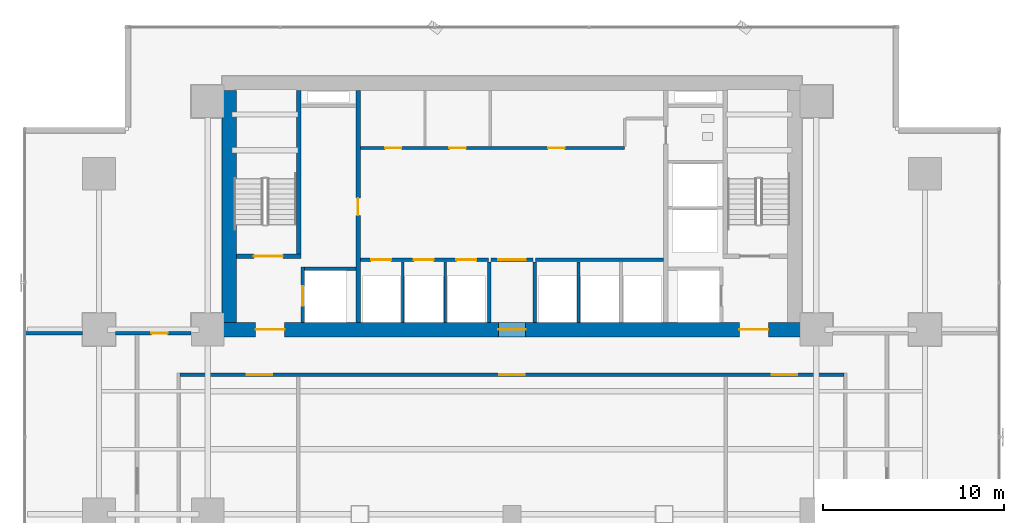
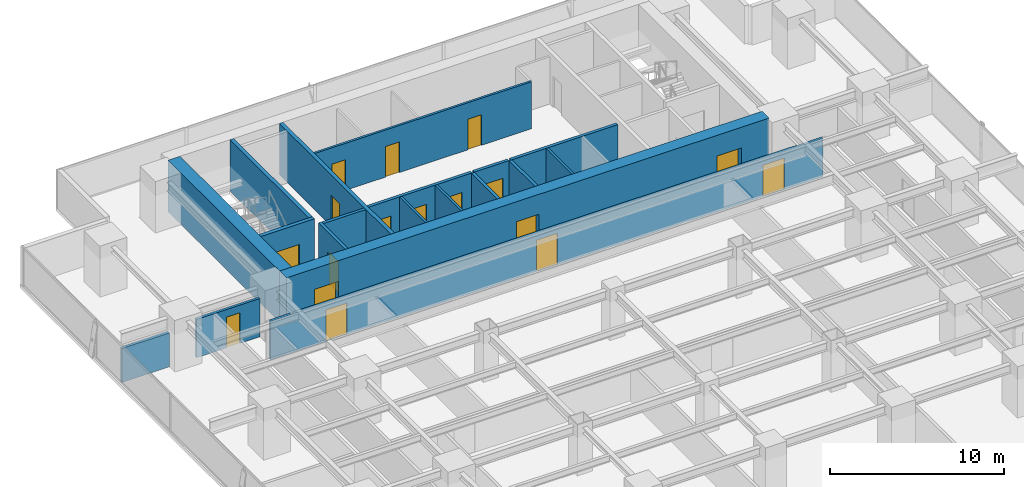
# One storey, part 25 of 33: 19 walls, 17 doors, 17 openings.
"""IFC4 building model written with IfcOpenShell, lengths in metres."""

from ifc_helpers import new_model, si_unit, direction, frame, frame_2d, origin, place, context, subcontext, project, spatial, rectangle, extrude, source, transform, mapped, material, layer, layer_set, type_object, element, fill, save


model = new_model("IFC4")

# Units and contexts
model_context = context("Model", 3, precision=1e-05, world=origin(), true_north=direction((0.0, 1.0)))
body_context = subcontext(model_context, "Body", "Model", "MODEL_VIEW")
ifc_project = project(units=[si_unit("LENGTHUNIT", "METRE"), si_unit("AREAUNIT", "SQUARE_METRE"), si_unit("VOLUMEUNIT", "CUBIC_METRE"), si_unit("PLANEANGLEUNIT", "RADIAN"), si_unit("MASSUNIT", "GRAM", prefix="KILO")], contexts=[model_context])

# Site, building, storey
site_placement = place(None, origin())
site = spatial("IfcSite", under=ifc_project, at=site_placement, CompositionType="ELEMENT")
building_placement = place(site_placement, origin())
building = spatial("IfcBuilding", under=site, at=building_placement, Name="Sumidabori Civic Tower", CompositionType="ELEMENT")
storey_placement = place(building_placement, frame((0.0, 0.0, 66.800048828125)))
storey = spatial("IfcBuildingStorey", under=building, at=storey_placement, Name="L17", CompositionType="ELEMENT", Elevation=66.800048828125)

# Wall, openings, doors
ifc_material_1 = material(Name="Concrete C60/75", Category="concrete")
ifc_layer_1 = layer(ifc_material_1, 0.800048828125, Name="Concrete C60/75")
ifc_layer_set_1 = layer_set([ifc_layer_1], Name="Concrete C60/75")
wall_type_1 = type_object("IfcWallType", Name="WL-CORE-800", PredefinedType="SHEAR", material=ifc_layer_set_1)
shared_shape_1 = source(origin(), body_context, "Body", "SweptSolid", [
    extrude(rectangle(XDim=32.0, YDim=0.800048828125, at=frame_2d((16.0, 0.0))), origin(), (0.0, 0.0, 1.0), 3.599853515625),
])
wall_1_placement = place(storey_placement, frame((-16.0, 10.199951171875, 0.0), z_axis=(0.0, 0.0, 1.0), x_axis=(1.0, 0.0, 0.0)))
wall_1 = element("IfcWall", 1, at=wall_1_placement, inside=storey, type_object=wall_type_1, Name="Core Shear Wall L17 S", PredefinedType="SHEAR", context=body_context, shape_type="MappedRepresentation", body=[
    mapped(shared_shape_1, transform((0.0, 0.0, 0.0), x_axis=(1.0, 0.0, 0.0), y_axis=(0.0, 1.0, 0.0), z_axis=(0.0, 0.0, 1.0), scale=1.0)),
])
opening_1_placement = place(wall_1_placement, frame((1.85009765625, 0.0, 0.0)))
opening_1 = element("IfcOpeningElement", 2, at=opening_1_placement, cuts=wall_1, Name="Opening DR-FD4", PredefinedType="OPENING", context=body_context, shape_type="SweptSolid", body=[
    extrude(rectangle(XDim=1.60009765625, YDim=2.14990234375, at=frame_2d((0.800048828125, 1.074951171875))), frame((0.0, 0.412109375, 0.0), z_axis=(0.0, -1.0, 0.0), x_axis=(1.0, 0.0, 0.0)), (0.0, 0.0, 1.0), 0.823974609375),
])
opening_2_placement = place(wall_1_placement, frame((28.550048828125, 0.0, 0.0)))
opening_2 = element("IfcOpeningElement", 3, at=opening_2_placement, cuts=wall_1, Name="Opening DR-FD4", PredefinedType="OPENING", context=body_context, shape_type="SweptSolid", body=[
    extrude(rectangle(XDim=1.60009765625, YDim=2.14990234375, at=frame_2d((0.800048828125, 1.074951171875))), frame((0.0, 0.412109375, 0.0), z_axis=(0.0, -1.0, 0.0), x_axis=(1.0, 0.0, 0.0)), (0.0, 0.0, 1.0), 0.823974609375),
])
opening_3_placement = place(wall_1_placement, frame((15.25, 0.0, 0.0)))
opening_3 = element("IfcOpeningElement", 4, at=opening_3_placement, cuts=wall_1, Name="Opening DR-FD3", PredefinedType="OPENING", context=body_context, shape_type="SweptSolid", body=[
    extrude(rectangle(XDim=1.5, YDim=2.199951171875, at=frame_2d((0.75, 1.10009765625))), frame((0.0, 0.412109375, 0.0), z_axis=(0.0, -1.0, 0.0), x_axis=(1.0, 0.0, 0.0)), (0.0, 0.0, 1.0), 0.823974609375),
])
ifc_material_2 = material(Name="Steel SN490", Category="steel")
door_type_1 = type_object("IfcDoorType", Name="DR-FD4", OperationType="DOUBLE_DOOR_SINGLE_SWING", PredefinedType="DOOR", material=ifc_material_2)
shared_shape_2 = source(origin(), body_context, "Body", "SweptSolid", [
    extrude(rectangle(XDim=1.60009765625, YDim=2.14990234375, at=frame_2d((0.800048828125, 1.074951171875))), frame((0.0, 0.02490234375, 0.0), z_axis=(0.0, -1.0, 0.0), x_axis=(1.0, 0.0, 0.0)), (0.0, 0.0, 1.0), 0.050048828125),
])
door_1_placement = place(opening_1_placement, origin())
door_1 = element("IfcDoor", 5, at=door_1_placement, inside=storey, type_object=door_type_1, Name="Door DR:L17:ELOB-W", OperationType="DOUBLE_DOOR_SINGLE_SWING", OverallHeight=2.14990234375, OverallWidth=1.60009765625, PredefinedType="DOOR", context=body_context, shape_type="MappedRepresentation", body=[
    mapped(shared_shape_2, transform((0.0, 0.0, 0.0), x_axis=(1.0, 0.0, 0.0), y_axis=(0.0, 1.0, 0.0), z_axis=(0.0, 0.0, 1.0), scale=1.0)),
])
fill(opening_1, door_1)
door_2_placement = place(opening_2_placement, origin())
door_2 = element("IfcDoor", 6, at=door_2_placement, inside=storey, type_object=door_type_1, Name="Door DR:L17:ELOB-E", OperationType="DOUBLE_DOOR_SINGLE_SWING", OverallHeight=2.14990234375, OverallWidth=1.60009765625, PredefinedType="DOOR", context=body_context, shape_type="MappedRepresentation", body=[
    mapped(shared_shape_2, transform((0.0, 0.0, 0.0), x_axis=(1.0, 0.0, 0.0), y_axis=(0.0, 1.0, 0.0), z_axis=(0.0, 0.0, 1.0), scale=1.0)),
])
fill(opening_2, door_2)
door_type_2 = type_object("IfcDoorType", Name="DR-FD-DBL", OperationType="DOUBLE_DOOR_SINGLE_SWING", PredefinedType="DOOR", material=ifc_material_2)
shared_shape_3 = source(origin(), body_context, "Body", "SweptSolid", [
    extrude(rectangle(XDim=1.5, YDim=2.199951171875, at=frame_2d((0.75, 1.10009765625))), frame((0.0, 0.02490234375, 0.0), z_axis=(0.0, -1.0, 0.0), x_axis=(1.0, 0.0, 0.0)), (0.0, 0.0, 1.0), 0.050048828125),
])
door_3_placement = place(opening_3_placement, origin())
door_3 = element("IfcDoor", 7, at=door_3_placement, inside=storey, type_object=door_type_2, Name="Door DR:L17:THROAT-OUT", OperationType="DOUBLE_DOOR_SINGLE_SWING", OverallHeight=2.199951171875, OverallWidth=1.5, PredefinedType="DOOR", context=body_context, shape_type="MappedRepresentation", body=[
    mapped(shared_shape_3, transform((0.0, 0.0, 0.0), x_axis=(1.0, 0.0, 0.0), y_axis=(0.0, 1.0, 0.0), z_axis=(0.0, 0.0, 1.0), scale=1.0)),
])
fill(opening_3, door_3)

# Wall
shared_shape_4 = source(origin(), body_context, "Body", "SweptSolid", [
    extrude(rectangle(XDim=12.7998046875, YDim=0.800048828125, at=frame_2d((6.39990234375, 0.0))), origin(), (0.0, 0.0, 1.0), 3.599853515625),
])
wall_2_placement = place(storey_placement, frame((-15.60009765625, 10.60009765625, 0.0), z_axis=(0.0, 0.0, 1.0), x_axis=(0.0, 1.0, 0.0)))
element("IfcWall", 8, at=wall_2_placement, inside=storey, type_object=wall_type_1, Name="Core Shear Wall L17 W", PredefinedType="SHEAR", context=body_context, shape_type="MappedRepresentation", body=[
    mapped(shared_shape_4, transform((0.0, 0.0, 0.0), x_axis=(1.0, 0.0, 0.0), y_axis=(0.0, 1.0, 0.0), z_axis=(0.0, 0.0, 1.0), scale=1.0)),
])

# Wall, opening, door
ifc_material_3 = material(Name="Concrete C50/60", Category="concrete")
ifc_layer_2 = layer(ifc_material_3, 0.25, Name="Concrete C50/60")
ifc_layer_set_2 = layer_set([ifc_layer_2], Name="Concrete C50/60")
wall_type_2 = type_object("IfcWallType", Name="WL-SHAFT-250", PredefinedType="SHEAR", material=ifc_layer_set_2)
shared_shape_5 = source(origin(), body_context, "Body", "SweptSolid", [
    extrude(rectangle(XDim=12.7998046875, YDim=0.25, at=frame_2d((6.39990234375, 0.0))), origin(), (0.0, 0.0, 1.0), 3.599853515625),
])
wall_3_placement = place(storey_placement, frame((-8.5, 10.60009765625, 0.0), z_axis=(0.0, 0.0, 1.0), x_axis=(0.0, 1.0, 0.0)))
wall_3 = element("IfcWall", 9, at=wall_3_placement, inside=storey, type_object=wall_type_2, Name="Core Shear Wall L17 WEB-W", PredefinedType="SHEAR", context=body_context, shape_type="MappedRepresentation", body=[
    mapped(shared_shape_5, transform((0.0, 0.0, 0.0), x_axis=(1.0, 0.0, 0.0), y_axis=(0.0, 1.0, 0.0), z_axis=(0.0, 0.0, 1.0), scale=1.0)),
])
opening_4_placement = place(wall_3_placement, frame((5.89990234375, 0.0, 0.0)))
opening_4 = element("IfcOpeningElement", 10, at=opening_4_placement, cuts=wall_3, Name="Opening DR-FD2", PredefinedType="OPENING", context=body_context, shape_type="SweptSolid", body=[
    extrude(rectangle(XDim=0.949951171875, YDim=2.14990234375, at=frame_2d((0.47509765625, 1.074951171875))), frame((0.0, 0.136962890625, 0.0), z_axis=(0.0, -1.0, 0.0), x_axis=(1.0, 0.0, 0.0)), (0.0, 0.0, 1.0), 0.27392578125),
])
door_type_3 = type_object("IfcDoorType", Name="DR-FD2", OperationType="NOTDEFINED", PredefinedType="DOOR", material=ifc_material_2)
shared_shape_6 = source(origin(), body_context, "Body", "SweptSolid", [
    extrude(rectangle(XDim=0.949951171875, YDim=2.14990234375, at=frame_2d((0.47509765625, 1.074951171875))), frame((0.0, 0.02490234375, 0.0), z_axis=(0.0, -1.0, 0.0), x_axis=(1.0, 0.0, 0.0)), (0.0, 0.0, 1.0), 0.050048828125),
])
door_4_placement = place(opening_4_placement, origin())
door_4 = element("IfcDoor", 11, at=door_4_placement, inside=storey, type_object=door_type_3, Name="Door DR:L17:CW-STR", OperationType="SINGLE_SWING_LEFT", OverallHeight=2.14990234375, OverallWidth=0.949951171875, PredefinedType="DOOR", context=body_context, shape_type="MappedRepresentation", body=[
    mapped(shared_shape_6, transform((0.0, 0.0, 0.0), x_axis=(1.0, 0.0, 0.0), y_axis=(0.0, 1.0, 0.0), z_axis=(0.0, 0.0, 1.0), scale=1.0)),
])
fill(opening_4, door_4)

shared_shape_7 = source(origin(), body_context, "Body", "SweptSolid", [
    extrude(rectangle(XDim=3.554931640625, YDim=0.25, at=frame_2d((1.77734375, 0.0))), origin(), (0.0, 0.0, 1.0), 3.599853515625),
])
wall_4_placement = place(storey_placement, frame((-15.199951171875, 14.25, 0.0), z_axis=(0.0, 0.0, 1.0), x_axis=(1.0, 0.0, 0.0)))
wall_4 = element("IfcWall", 12, at=wall_4_placement, inside=storey, type_object=wall_type_2, Name="Core Shear Wall L17 ST1-S", PredefinedType="SHEAR", context=body_context, shape_type="MappedRepresentation", body=[
    mapped(shared_shape_7, transform((0.0, 0.0, 0.0), x_axis=(1.0, 0.0, 0.0), y_axis=(0.0, 1.0, 0.0), z_axis=(0.0, 0.0, 1.0), scale=1.0)),
])
opening_5_placement = place(wall_4_placement, frame((0.949951171875, 0.0, 0.0)))
opening_5 = element("IfcOpeningElement", 13, at=opening_5_placement, cuts=wall_4, Name="Opening DR-FD4", PredefinedType="OPENING", context=body_context, shape_type="SweptSolid", body=[
    extrude(rectangle(XDim=1.60009765625, YDim=2.14990234375, at=frame_2d((0.800048828125, 1.074951171875))), frame((0.0, 0.136962890625, 0.0), z_axis=(0.0, -1.0, 0.0), x_axis=(1.0, 0.0, 0.0)), (0.0, 0.0, 1.0), 0.27392578125),
])
door_5_placement = place(opening_5_placement, origin())
door_5 = element("IfcDoor", 14, at=door_5_placement, inside=storey, type_object=door_type_1, Name="Door DR:L17:ST1", OperationType="DOUBLE_DOOR_SINGLE_SWING", OverallHeight=2.14990234375, OverallWidth=1.60009765625, PredefinedType="DOOR", context=body_context, shape_type="MappedRepresentation", body=[
    mapped(shared_shape_2, transform((0.0, 0.0, 0.0), x_axis=(1.0, 0.0, 0.0), y_axis=(0.0, 1.0, 0.0), z_axis=(0.0, 0.0, 1.0), scale=1.0)),
])
fill(opening_5, door_5)

# Wall
shared_shape_8 = source(origin(), body_context, "Body", "SweptSolid", [
    extrude(rectangle(XDim=9.02490234375, YDim=0.25, at=frame_2d((4.512451171875, 0.0))), origin(), (0.0, 0.0, 1.0), 3.599853515625),
])
wall_5_placement = place(storey_placement, frame((-11.77001953125, 14.375, 0.0), z_axis=(0.0, 0.0, 1.0), x_axis=(0.0, 1.0, 0.0)))
element("IfcWall", 15, at=wall_5_placement, inside=storey, type_object=wall_type_2, Name="Core Shear Wall L17 ST1-E", PredefinedType="SHEAR", context=body_context, shape_type="MappedRepresentation", body=[
    mapped(shared_shape_8, transform((0.0, 0.0, 0.0), x_axis=(1.0, 0.0, 0.0), y_axis=(0.0, 1.0, 0.0), z_axis=(0.0, 0.0, 1.0), scale=1.0)),
])

# Wall, opening, door
ifc_layer_3 = layer(ifc_material_3, 0.199951171875, Name="Concrete C50/60")
ifc_layer_set_3 = layer_set([ifc_layer_3], Name="Concrete C50/60")
wall_type_3 = type_object("IfcWallType", Name="WL-SHAFT-200", PredefinedType="SHEAR", material=ifc_layer_set_3)
shared_shape_9 = source(origin(), body_context, "Body", "SweptSolid", [
    extrude(rectangle(XDim=3.0498046875, YDim=0.199951171875, at=frame_2d((1.52490234375, 0.0))), origin(), (0.0, 0.0, 1.0), 3.599853515625),
])
wall_6_placement = place(storey_placement, frame((-11.550048828125, 10.60009765625, 0.0), z_axis=(0.0, 0.0, 1.0), x_axis=(0.0, 1.0, 0.0)))
wall_6 = element("IfcWall", 16, at=wall_6_placement, inside=storey, type_object=wall_type_3, Name="Core Shear Wall L17 EL1-W", PredefinedType="SHEAR", context=body_context, shape_type="MappedRepresentation", body=[
    mapped(shared_shape_9, transform((0.0, 0.0, 0.0), x_axis=(1.0, 0.0, 0.0), y_axis=(0.0, 1.0, 0.0), z_axis=(0.0, 0.0, 1.0), scale=1.0)),
])
opening_6_placement = place(wall_6_placement, frame((0.89990234375, 0.0, 0.0)))
opening_6 = element("IfcOpeningElement", 17, at=opening_6_placement, cuts=wall_6, Name="Opening LD-2", PredefinedType="OPENING", context=body_context, shape_type="SweptSolid", body=[
    extrude(rectangle(XDim=1.10009765625, YDim=2.14990234375, at=frame_2d((0.550048828125, 1.074951171875))), frame((0.0, 0.11181640625, 0.0), z_axis=(0.0, -1.0, 0.0), x_axis=(1.0, 0.0, 0.0)), (0.0, 0.0, 1.0), 0.223876953125),
])
ifc_material_4 = material(Name="Stainless Steel Hairline Finish", Category="steel")
door_type_4 = type_object("IfcDoorType", Name="DR-LD2", OperationType="DOUBLE_DOOR_SLIDING", PredefinedType="DOOR", material=ifc_material_4)
shared_shape_10 = source(origin(), body_context, "Body", "SweptSolid", [
    extrude(rectangle(XDim=1.10009765625, YDim=2.14990234375, at=frame_2d((0.550048828125, 1.074951171875))), frame((0.0, 0.02490234375, 0.0), z_axis=(0.0, -1.0, 0.0), x_axis=(1.0, 0.0, 0.0)), (0.0, 0.0, 1.0), 0.050048828125),
])
door_6_placement = place(opening_6_placement, origin())
door_6 = element("IfcDoor", 18, at=door_6_placement, inside=storey, type_object=door_type_4, Name="Door DR:L17:LD-EL1", OperationType="DOUBLE_DOOR_SLIDING", OverallHeight=2.14990234375, OverallWidth=1.10009765625, PredefinedType="DOOR", context=body_context, shape_type="MappedRepresentation", body=[
    mapped(shared_shape_10, transform((0.0, 0.0, 0.0), x_axis=(1.0, 0.0, 0.0), y_axis=(0.0, 1.0, 0.0), z_axis=(0.0, 0.0, 1.0), scale=1.0)),
])
fill(opening_6, door_6)

# Wall
shared_shape_11 = source(origin(), body_context, "Body", "SweptSolid", [
    extrude(rectangle(XDim=2.824951171875, YDim=0.199951171875, at=frame_2d((1.41259765625, 0.0))), origin(), (0.0, 0.0, 1.0), 3.599853515625),
])
wall_7_placement = place(storey_placement, frame((-11.449951171875, 13.550048828125, 0.0), z_axis=(0.0, 0.0, 1.0), x_axis=(1.0, 0.0, 0.0)))
element("IfcWall", 19, at=wall_7_placement, inside=storey, type_object=wall_type_3, Name="Core Shear Wall L17 EL1-N", PredefinedType="SHEAR", context=body_context, shape_type="MappedRepresentation", body=[
    mapped(shared_shape_11, transform((0.0, 0.0, 0.0), x_axis=(1.0, 0.0, 0.0), y_axis=(0.0, 1.0, 0.0), z_axis=(0.0, 0.0, 1.0), scale=1.0)),
])

# Wall, openings, doors
ifc_material_5 = material(Name="Gypsum Plasterboard Fire Partition")
ifc_layer_4 = layer(ifc_material_5, 0.199951171875, Name="Gypsum Plasterboard Fire Partition")
ifc_layer_set_4 = layer_set([ifc_layer_4], Name="Gypsum Plasterboard Fire Partition")
wall_type_4 = type_object("IfcWallType", Name="WL-PART-FIRE", PredefinedType="PARTITIONING", material=ifc_layer_set_4)
shared_shape_12 = source(origin(), body_context, "Body", "SweptSolid", [
    extrude(rectangle(XDim=7.070068359375, YDim=0.199951171875, at=frame_2d((3.53515625, 0.0))), origin(), (0.0, 0.0, 1.0), 3.300048828125),
])
wall_8_placement = place(storey_placement, frame((-8.3701171875, 14.050048828125, 0.0), z_axis=(0.0, 0.0, 1.0), x_axis=(1.0, 0.0, 0.0)))
wall_8 = element("IfcWall", 20, at=wall_8_placement, inside=storey, type_object=wall_type_4, Name="Interior Partition WL:L17:CBAND-SW", PredefinedType="PARTITIONING", context=body_context, shape_type="MappedRepresentation", body=[
    mapped(shared_shape_12, transform((0.0, 0.0, 0.0), x_axis=(1.0, 0.0, 0.0), y_axis=(0.0, 1.0, 0.0), z_axis=(0.0, 0.0, 1.0), scale=1.0)),
])
opening_7_placement = place(wall_8_placement, frame((0.60009765625, 0.0, 0.0)))
opening_7 = element("IfcOpeningElement", 21, at=opening_7_placement, cuts=wall_8, Name="Opening LD-1", PredefinedType="OPENING", context=body_context, shape_type="SweptSolid", body=[
    extrude(rectangle(XDim=1.10009765625, YDim=2.14990234375, at=frame_2d((0.550048828125, 1.074951171875))), frame((0.0, 0.11181640625, 0.0), z_axis=(0.0, -1.0, 0.0), x_axis=(1.0, 0.0, 0.0)), (0.0, 0.0, 1.0), 0.223876953125),
])
opening_8_placement = place(wall_8_placement, frame((2.949951171875, 0.0, 0.0)))
opening_8 = element("IfcOpeningElement", 22, at=opening_8_placement, cuts=wall_8, Name="Opening LD-1", PredefinedType="OPENING", context=body_context, shape_type="SweptSolid", body=[
    extrude(rectangle(XDim=1.10009765625, YDim=2.14990234375, at=frame_2d((0.550048828125, 1.074951171875))), frame((0.0, 0.11181640625, 0.0), z_axis=(0.0, -1.0, 0.0), x_axis=(1.0, 0.0, 0.0)), (0.0, 0.0, 1.0), 0.223876953125),
])
opening_9_placement = place(wall_8_placement, frame((5.300048828125, 0.0, 0.0)))
opening_9 = element("IfcOpeningElement", 23, at=opening_9_placement, cuts=wall_8, Name="Opening LD-1", PredefinedType="OPENING", context=body_context, shape_type="SweptSolid", body=[
    extrude(rectangle(XDim=1.10009765625, YDim=2.14990234375, at=frame_2d((0.550048828125, 1.074951171875))), frame((0.0, 0.11181640625, 0.0), z_axis=(0.0, -1.0, 0.0), x_axis=(1.0, 0.0, 0.0)), (0.0, 0.0, 1.0), 0.223876953125),
])
door_type_5 = type_object("IfcDoorType", Name="DR-LD1", OperationType="DOUBLE_DOOR_SLIDING", PredefinedType="DOOR", material=ifc_material_4)
door_7_placement = place(opening_7_placement, origin())
door_7 = element("IfcDoor", 24, at=door_7_placement, inside=storey, type_object=door_type_5, Name="Door DR:L17:LD-PLL1", OperationType="DOUBLE_DOOR_SLIDING", OverallHeight=2.14990234375, OverallWidth=1.10009765625, PredefinedType="DOOR", context=body_context, shape_type="MappedRepresentation", body=[
    mapped(shared_shape_10, transform((0.0, 0.0, 0.0), x_axis=(1.0, 0.0, 0.0), y_axis=(0.0, 1.0, 0.0), z_axis=(0.0, 0.0, 1.0), scale=1.0)),
])
fill(opening_7, door_7)
door_8_placement = place(opening_8_placement, origin())
door_8 = element("IfcDoor", 25, at=door_8_placement, inside=storey, type_object=door_type_5, Name="Door DR:L17:LD-PLL2", OperationType="DOUBLE_DOOR_SLIDING", OverallHeight=2.14990234375, OverallWidth=1.10009765625, PredefinedType="DOOR", context=body_context, shape_type="MappedRepresentation", body=[
    mapped(shared_shape_10, transform((0.0, 0.0, 0.0), x_axis=(1.0, 0.0, 0.0), y_axis=(0.0, 1.0, 0.0), z_axis=(0.0, 0.0, 1.0), scale=1.0)),
])
fill(opening_8, door_8)
door_9_placement = place(opening_9_placement, origin())
door_9 = element("IfcDoor", 26, at=door_9_placement, inside=storey, type_object=door_type_5, Name="Door DR:L17:LD-PLL3", OperationType="DOUBLE_DOOR_SLIDING", OverallHeight=2.14990234375, OverallWidth=1.10009765625, PredefinedType="DOOR", context=body_context, shape_type="MappedRepresentation", body=[
    mapped(shared_shape_10, transform((0.0, 0.0, 0.0), x_axis=(1.0, 0.0, 0.0), y_axis=(0.0, 1.0, 0.0), z_axis=(0.0, 0.0, 1.0), scale=1.0)),
])
fill(opening_9, door_9)

# Walls
wall_9_placement = place(storey_placement, frame((1.300048828125, 14.050048828125, 0.0), z_axis=(0.0, 0.0, 1.0), x_axis=(1.0, 0.0, 0.0)))
element("IfcWall", 27, at=wall_9_placement, inside=storey, type_object=wall_type_4, Name="Interior Partition WL:L17:CBAND-SE", PredefinedType="PARTITIONING", context=body_context, shape_type="MappedRepresentation", body=[
    mapped(shared_shape_12, transform((0.0, 0.0, 0.0), x_axis=(1.0, 0.0, 0.0), y_axis=(0.0, 1.0, 0.0), z_axis=(0.0, 0.0, 1.0), scale=1.0)),
])
shared_shape_13 = source(origin(), body_context, "Body", "SweptSolid", [
    extrude(rectangle(XDim=3.33984375, YDim=0.199951171875, at=frame_2d((1.669921875, 0.0))), origin(), (0.0, 0.0, 1.0), 3.300048828125),
])
for number, where, z_axis, x_axis, name in (
    (28, (-1.25, 10.60009765625, 0.0), (0.0, 0.0, 1.0), (0.0, 1.0, 0.0), "Interior Partition WL:L17:THROAT-W"),
    (29, (1.25, 10.60009765625, 0.0), (0.0, 0.0, 1.0), (0.0, 1.0, 0.0), "Interior Partition WL:L17:THROAT-E"),
):
    element("IfcWall", number, at=place(storey_placement, frame(where, z_axis=z_axis, x_axis=x_axis)), inside=storey, type_object=wall_type_4, Name=name, PredefinedType="PARTITIONING", context=body_context, shape_type="MappedRepresentation", body=[
        mapped(shared_shape_13, transform((0.0, 0.0, 0.0), x_axis=(1.0, 0.0, 0.0), y_axis=(0.0, 1.0, 0.0), z_axis=(0.0, 0.0, 1.0), scale=1.0)),
    ])

# Wall, opening, door
shared_shape_14 = source(origin(), body_context, "Body", "SweptSolid", [
    extrude(rectangle(XDim=2.2998046875, YDim=0.199951171875, at=frame_2d((1.14990234375, 0.0))), origin(), (0.0, 0.0, 1.0), 3.300048828125),
])
wall_10_placement = place(storey_placement, frame((-1.14990234375, 14.050048828125, 0.0), z_axis=(0.0, 0.0, 1.0), x_axis=(1.0, 0.0, 0.0)))
wall_10 = element("IfcWall", 30, at=wall_10_placement, inside=storey, type_object=wall_type_4, Name="Interior Partition WL:L17:THROAT-N", PredefinedType="PARTITIONING", context=body_context, shape_type="MappedRepresentation", body=[
    mapped(shared_shape_14, transform((0.0, 0.0, 0.0), x_axis=(1.0, 0.0, 0.0), y_axis=(0.0, 1.0, 0.0), z_axis=(0.0, 0.0, 1.0), scale=1.0)),
])
opening_10_placement = place(wall_10_placement, frame((0.39990234375, 0.0, 0.0)))
opening_10 = element("IfcOpeningElement", 31, at=opening_10_placement, cuts=wall_10, Name="Opening DR-FD3", PredefinedType="OPENING", context=body_context, shape_type="SweptSolid", body=[
    extrude(rectangle(XDim=1.5, YDim=2.199951171875, at=frame_2d((0.75, 1.10009765625))), frame((0.0, 0.11181640625, 0.0), z_axis=(0.0, -1.0, 0.0), x_axis=(1.0, 0.0, 0.0)), (0.0, 0.0, 1.0), 0.223876953125),
])
door_10_placement = place(opening_10_placement, origin())
door_10 = element("IfcDoor", 32, at=door_10_placement, inside=storey, type_object=door_type_2, Name="Door DR:L17:THROAT-IN", OperationType="DOUBLE_DOOR_SINGLE_SWING", OverallHeight=2.199951171875, OverallWidth=1.5, PredefinedType="DOOR", context=body_context, shape_type="MappedRepresentation", body=[
    mapped(shared_shape_3, transform((0.0, 0.0, 0.0), x_axis=(1.0, 0.0, 0.0), y_axis=(0.0, 1.0, 0.0), z_axis=(0.0, 0.0, 1.0), scale=1.0)),
])
fill(opening_10, door_10)

# Wall, openings, doors
ifc_material_6 = material(Name="Gypsum Plasterboard Acoustic Partition")
ifc_layer_5 = layer(ifc_material_6, 0.14990234375, Name="Gypsum Plasterboard Acoustic Partition")
ifc_layer_set_5 = layer_set([ifc_layer_5], Name="Gypsum Plasterboard Acoustic Partition")
wall_type_5 = type_object("IfcWallType", Name="WL-PART-150", PredefinedType="PARTITIONING", material=ifc_layer_set_5)
shared_shape_15 = source(origin(), body_context, "Body", "SweptSolid", [
    extrude(rectangle(XDim=14.590087890625, YDim=0.14990234375, at=frame_2d((7.294921875, 0.0))), origin(), (0.0, 0.0, 1.0), 3.300048828125),
])
wall_11_placement = place(storey_placement, frame((-8.3701171875, 20.219970703125, 0.0), z_axis=(0.0, 0.0, 1.0), x_axis=(1.0, 0.0, 0.0)))
wall_11 = element("IfcWall", 33, at=wall_11_placement, inside=storey, type_object=wall_type_5, Name="Interior Partition WL:L17:CBAND-M", PredefinedType="PARTITIONING", context=body_context, shape_type="MappedRepresentation", body=[
    mapped(shared_shape_15, transform((0.0, 0.0, 0.0), x_axis=(1.0, 0.0, 0.0), y_axis=(0.0, 1.0, 0.0), z_axis=(0.0, 0.0, 1.0), scale=1.0)),
])
opening_11_placement = place(wall_11_placement, frame((1.360107421875, 0.0, 0.0)))
opening_11 = element("IfcOpeningElement", 34, at=opening_11_placement, cuts=wall_11, Name="Opening DR-1", PredefinedType="OPENING", context=body_context, shape_type="SweptSolid", body=[
    extrude(rectangle(XDim=0.89990234375, YDim=2.14990234375, at=frame_2d((0.449951171875, 1.074951171875))), frame((0.0, 0.0869140625, 0.0), z_axis=(0.0, -1.0, 0.0), x_axis=(1.0, 0.0, 0.0)), (0.0, 0.0, 1.0), 0.173828125),
])
opening_12_placement = place(wall_11_placement, frame((4.919921875, 0.0, 0.0)))
opening_12 = element("IfcOpeningElement", 35, at=opening_12_placement, cuts=wall_11, Name="Opening DR-1", PredefinedType="OPENING", context=body_context, shape_type="SweptSolid", body=[
    extrude(rectangle(XDim=0.89990234375, YDim=2.14990234375, at=frame_2d((0.449951171875, 1.074951171875))), frame((0.0, 0.0869140625, 0.0), z_axis=(0.0, -1.0, 0.0), x_axis=(1.0, 0.0, 0.0)), (0.0, 0.0, 1.0), 0.173828125),
])
opening_13_placement = place(wall_11_placement, frame((10.3701171875, 0.0, 0.0)))
opening_13 = element("IfcOpeningElement", 36, at=opening_13_placement, cuts=wall_11, Name="Opening DR-1", PredefinedType="OPENING", context=body_context, shape_type="SweptSolid", body=[
    extrude(rectangle(XDim=0.89990234375, YDim=2.14990234375, at=frame_2d((0.449951171875, 1.074951171875))), frame((0.0, 0.0869140625, 0.0), z_axis=(0.0, -1.0, 0.0), x_axis=(1.0, 0.0, 0.0)), (0.0, 0.0, 1.0), 0.173828125),
])
ifc_material_7 = material(Name="Japanese Hinoki Timber", Category="wood")
door_type_6 = type_object("IfcDoorType", Name="DR-INT-900", OperationType="NOTDEFINED", PredefinedType="DOOR", material=ifc_material_7)
shared_shape_16 = source(origin(), body_context, "Body", "SweptSolid", [
    extrude(rectangle(XDim=0.89990234375, YDim=2.14990234375, at=frame_2d((0.449951171875, 1.074951171875))), frame((0.0, 0.02490234375, 0.0), z_axis=(0.0, -1.0, 0.0), x_axis=(1.0, 0.0, 0.0)), (0.0, 0.0, 1.0), 0.050048828125),
])
door_11_placement = place(opening_11_placement, origin())
door_11 = element("IfcDoor", 37, at=door_11_placement, inside=storey, type_object=door_type_6, Name="Door DR:L17:CB-1", OperationType="SINGLE_SWING_LEFT", OverallHeight=2.14990234375, OverallWidth=0.89990234375, PredefinedType="DOOR", context=body_context, shape_type="MappedRepresentation", body=[
    mapped(shared_shape_16, transform((0.0, 0.0, 0.0), x_axis=(1.0, 0.0, 0.0), y_axis=(0.0, 1.0, 0.0), z_axis=(0.0, 0.0, 1.0), scale=1.0)),
])
fill(opening_11, door_11)
door_12_placement = place(opening_12_placement, origin())
door_12 = element("IfcDoor", 38, at=door_12_placement, inside=storey, type_object=door_type_6, Name="Door DR:L17:CB-2", OperationType="SINGLE_SWING_RIGHT", OverallHeight=2.14990234375, OverallWidth=0.89990234375, PredefinedType="DOOR", context=body_context, shape_type="MappedRepresentation", body=[
    mapped(shared_shape_16, transform((0.0, 0.0, 0.0), x_axis=(1.0, 0.0, 0.0), y_axis=(0.0, 1.0, 0.0), z_axis=(0.0, 0.0, 1.0), scale=1.0)),
])
fill(opening_12, door_12)
door_13_placement = place(opening_13_placement, origin())
door_13 = element("IfcDoor", 39, at=door_13_placement, inside=storey, type_object=door_type_6, Name="Door DR:L17:CB-3", OperationType="SINGLE_SWING_LEFT", OverallHeight=2.14990234375, OverallWidth=0.89990234375, PredefinedType="DOOR", context=body_context, shape_type="MappedRepresentation", body=[
    mapped(shared_shape_16, transform((0.0, 0.0, 0.0), x_axis=(1.0, 0.0, 0.0), y_axis=(0.0, 1.0, 0.0), z_axis=(0.0, 0.0, 1.0), scale=1.0)),
])
fill(opening_13, door_13)

# Walls
shared_shape_17 = source(origin(), body_context, "Body", "SweptSolid", [
    extrude(rectangle(XDim=3.33984375, YDim=0.14990234375, at=frame_2d((1.669921875, 0.0))), origin(), (0.0, 0.0, 1.0), 3.300048828125),
])
for number, where, z_axis, x_axis, name in (
    (40, (-6.030029296875, 10.60009765625, 0.0), (0.0, 0.0, 1.0), (0.0, 1.0, 0.0), "Interior Partition WL:L17:DIV-PLL1"),
    (41, (-3.679931640625, 10.60009765625, 0.0), (0.0, 0.0, 1.0), (0.0, 1.0, 0.0), "Interior Partition WL:L17:DIV-PLL2"),
    (42, (3.669921875, 10.60009765625, 0.0), (0.0, 0.0, 1.0), (0.0, 1.0, 0.0), "Interior Partition WL:L17:DIV-PLM1"),
):
    element("IfcWall", number, at=place(storey_placement, frame(where, z_axis=z_axis, x_axis=x_axis)), inside=storey, type_object=wall_type_5, Name=name, PredefinedType="PARTITIONING", context=body_context, shape_type="MappedRepresentation", body=[
        mapped(shared_shape_17, transform((0.0, 0.0, 0.0), x_axis=(1.0, 0.0, 0.0), y_axis=(0.0, 1.0, 0.0), z_axis=(0.0, 0.0, 1.0), scale=1.0)),
    ])
ifc_layer_6 = layer(ifc_material_6, 0.179931640625, Name="Gypsum Plasterboard Acoustic Partition")
ifc_layer_set_6 = layer_set([ifc_layer_6], Name="Gypsum Plasterboard Acoustic Partition")
wall_type_6 = type_object("IfcWallType", Name="WL-PART-180", PredefinedType="PARTITIONING", material=ifc_layer_set_6)
shared_shape_18 = source(origin(), body_context, "Body", "SweptSolid", [
    extrude(rectangle(XDim=3.14013671875, YDim=0.179931640625, at=frame_2d((1.570068359375, 0.0))), origin(), (0.0, 0.0, 1.0), 2.375),
])
wall_12_placement = place(storey_placement, frame((-26.85009765625, 10.0, 0.0), z_axis=(0.0, 0.0, 1.0), x_axis=(1.0, 0.0, 0.0)))
element("IfcWall", 43, at=wall_12_placement, inside=storey, type_object=wall_type_6, Name="Interior Partition WL:L17:FLK-NW-1", PredefinedType="PARTITIONING", context=body_context, shape_type="MappedRepresentation", body=[
    mapped(shared_shape_18, transform((0.0, 0.0, 0.0), x_axis=(1.0, 0.0, 0.0), y_axis=(0.0, 1.0, 0.0), z_axis=(0.0, 0.0, 1.0), scale=1.0)),
])

# Wall, opening, door
shared_shape_19 = source(origin(), body_context, "Body", "SweptSolid", [
    extrude(rectangle(XDim=4.179931640625, YDim=0.179931640625, at=frame_2d((2.08984375, 0.0))), origin(), (0.0, 0.0, 1.0), 2.68505859375),
])
wall_13_placement = place(storey_placement, frame((-21.889892578125, 10.0, 0.0), z_axis=(0.0, 0.0, 1.0), x_axis=(1.0, 0.0, 0.0)))
wall_13 = element("IfcWall", 44, at=wall_13_placement, inside=storey, type_object=wall_type_6, Name="Interior Partition WL:L17:FLK-NW-2", PredefinedType="PARTITIONING", context=body_context, shape_type="MappedRepresentation", body=[
    mapped(shared_shape_19, transform((0.0, 0.0, 0.0), x_axis=(1.0, 0.0, 0.0), y_axis=(0.0, 1.0, 0.0), z_axis=(0.0, 0.0, 1.0), scale=1.0)),
])
opening_14_placement = place(wall_13_placement, frame((1.985107421875, 0.0, 0.0)))
opening_14 = element("IfcOpeningElement", 45, at=opening_14_placement, cuts=wall_13, Name="Opening DR-1", PredefinedType="OPENING", context=body_context, shape_type="SweptSolid", body=[
    extrude(rectangle(XDim=0.89990234375, YDim=2.14990234375, at=frame_2d((0.449951171875, 1.074951171875))), frame((0.0, 0.10205078125, 0.0), z_axis=(0.0, -1.0, 0.0), x_axis=(1.0, 0.0, 0.0)), (0.0, 0.0, 1.0), 0.203857421875),
])
door_14_placement = place(opening_14_placement, origin())
door_14 = element("IfcDoor", 46, at=door_14_placement, inside=storey, type_object=door_type_6, Name="Door DR:L17:FLK-NE", OperationType="SINGLE_SWING_LEFT", OverallHeight=2.14990234375, OverallWidth=0.89990234375, PredefinedType="DOOR", context=body_context, shape_type="MappedRepresentation", body=[
    mapped(shared_shape_16, transform((0.0, 0.0, 0.0), x_axis=(1.0, 0.0, 0.0), y_axis=(0.0, 1.0, 0.0), z_axis=(0.0, 0.0, 1.0), scale=1.0)),
])
fill(opening_14, door_14)

# Wall, openings, doors
shared_shape_20 = source(origin(), body_context, "Body", "SweptSolid", [
    extrude(rectangle(XDim=36.64013671875, YDim=0.179931640625, at=frame_2d((18.320068359375, 0.0))), origin(), (0.0, 0.0, 1.0), 2.68505859375),
])
wall_14_placement = place(storey_placement, frame((-18.320068359375, 7.7099609375, 0.0), z_axis=(0.0, 0.0, 1.0), x_axis=(1.0, 0.0, 0.0)))
wall_14 = element("IfcWall", 47, at=wall_14_placement, inside=storey, type_object=wall_type_6, Name="Interior Partition WL:L17:CORR-S", PredefinedType="PARTITIONING", context=body_context, shape_type="MappedRepresentation", body=[
    mapped(shared_shape_20, transform((0.0, 0.0, 0.0), x_axis=(1.0, 0.0, 0.0), y_axis=(0.0, 1.0, 0.0), z_axis=(0.0, 0.0, 1.0), scale=1.0)),
])
opening_15_placement = place(wall_14_placement, frame((3.675048828125, 0.0, 0.0)))
opening_15 = element("IfcOpeningElement", 48, at=opening_15_placement, cuts=wall_14, Name="Opening DR-5", PredefinedType="OPENING", context=body_context, shape_type="SweptSolid", body=[
    extrude(rectangle(XDim=1.39990234375, YDim=2.199951171875, at=frame_2d((0.699951171875, 1.10009765625))), frame((0.0, 0.10205078125, 0.0), z_axis=(0.0, -1.0, 0.0), x_axis=(1.0, 0.0, 0.0)), (0.0, 0.0, 1.0), 0.203857421875),
])
opening_16_placement = place(wall_14_placement, frame((17.6201171875, 0.0, 0.0)))
opening_16 = element("IfcOpeningElement", 49, at=opening_16_placement, cuts=wall_14, Name="Opening DR-5", PredefinedType="OPENING", context=body_context, shape_type="SweptSolid", body=[
    extrude(rectangle(XDim=1.39990234375, YDim=2.199951171875, at=frame_2d((0.699951171875, 1.10009765625))), frame((0.0, 0.10205078125, 0.0), z_axis=(0.0, -1.0, 0.0), x_axis=(1.0, 0.0, 0.0)), (0.0, 0.0, 1.0), 0.203857421875),
])
opening_17_placement = place(wall_14_placement, frame((32.6650390625, 0.0, 0.0)))
opening_17 = element("IfcOpeningElement", 50, at=opening_17_placement, cuts=wall_14, Name="Opening DR-5", PredefinedType="OPENING", context=body_context, shape_type="SweptSolid", body=[
    extrude(rectangle(XDim=1.39990234375, YDim=2.199951171875, at=frame_2d((0.699951171875, 1.10009765625))), frame((0.0, 0.10205078125, 0.0), z_axis=(0.0, -1.0, 0.0), x_axis=(1.0, 0.0, 0.0)), (0.0, 0.0, 1.0), 0.203857421875),
])
ifc_material_8 = material(Name="Anodised Bronze Aluminium AW-6063-T6", Category="aluminium")
door_type_7 = type_object("IfcDoorType", Name="DR-DBL-1400", OperationType="DOUBLE_DOOR_SINGLE_SWING", PredefinedType="DOOR", material=ifc_material_8)
shared_shape_21 = source(origin(), body_context, "Body", "SweptSolid", [
    extrude(rectangle(XDim=1.39990234375, YDim=2.199951171875, at=frame_2d((0.699951171875, 1.10009765625))), frame((0.0, 0.02490234375, 0.0), z_axis=(0.0, -1.0, 0.0), x_axis=(1.0, 0.0, 0.0)), (0.0, 0.0, 1.0), 0.050048828125),
])
door_15_placement = place(opening_15_placement, origin())
door_15 = element("IfcDoor", 51, at=door_15_placement, inside=storey, type_object=door_type_7, Name="Door DR:L17:D04", OperationType="DOUBLE_DOOR_SINGLE_SWING", OverallHeight=2.199951171875, OverallWidth=1.39990234375, PredefinedType="DOOR", context=body_context, shape_type="MappedRepresentation", body=[
    mapped(shared_shape_21, transform((0.0, 0.0, 0.0), x_axis=(1.0, 0.0, 0.0), y_axis=(0.0, 1.0, 0.0), z_axis=(0.0, 0.0, 1.0), scale=1.0)),
])
fill(opening_15, door_15)
door_16_placement = place(opening_16_placement, origin())
door_16 = element("IfcDoor", 52, at=door_16_placement, inside=storey, type_object=door_type_7, Name="Door DR:L17:D05", OperationType="DOUBLE_DOOR_SINGLE_SWING", OverallHeight=2.199951171875, OverallWidth=1.39990234375, PredefinedType="DOOR", context=body_context, shape_type="MappedRepresentation", body=[
    mapped(shared_shape_21, transform((0.0, 0.0, 0.0), x_axis=(1.0, 0.0, 0.0), y_axis=(0.0, 1.0, 0.0), z_axis=(0.0, 0.0, 1.0), scale=1.0)),
])
fill(opening_16, door_16)
door_17_placement = place(opening_17_placement, origin())
door_17 = element("IfcDoor", 53, at=door_17_placement, inside=storey, type_object=door_type_7, Name="Door DR:L17:D06", OperationType="DOUBLE_DOOR_SINGLE_SWING", OverallHeight=2.199951171875, OverallWidth=1.39990234375, PredefinedType="DOOR", context=body_context, shape_type="MappedRepresentation", body=[
    mapped(shared_shape_21, transform((0.0, 0.0, 0.0), x_axis=(1.0, 0.0, 0.0), y_axis=(0.0, 1.0, 0.0), z_axis=(0.0, 0.0, 1.0), scale=1.0)),
])
fill(opening_17, door_17)

save(model, "model.ifc")
